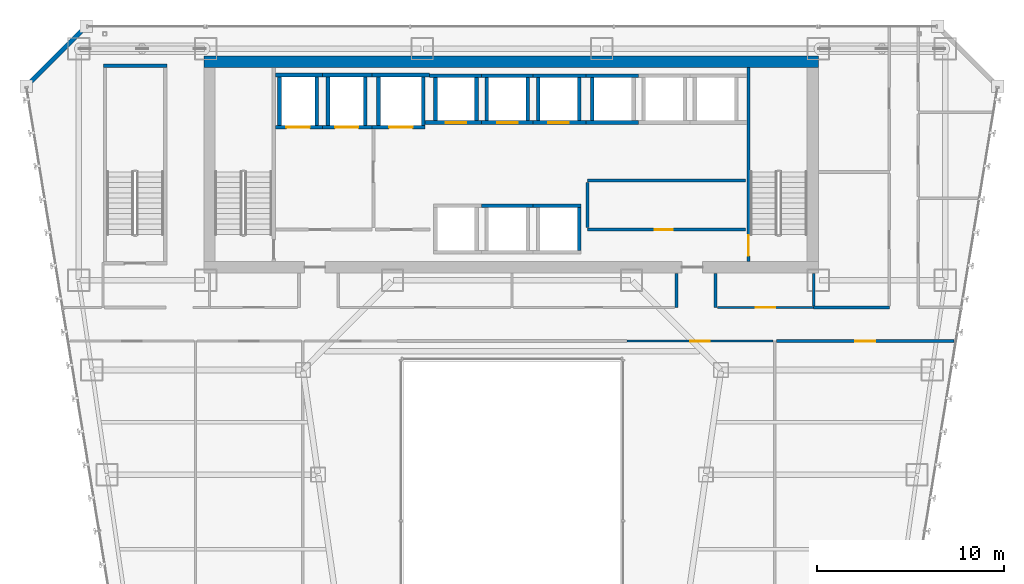
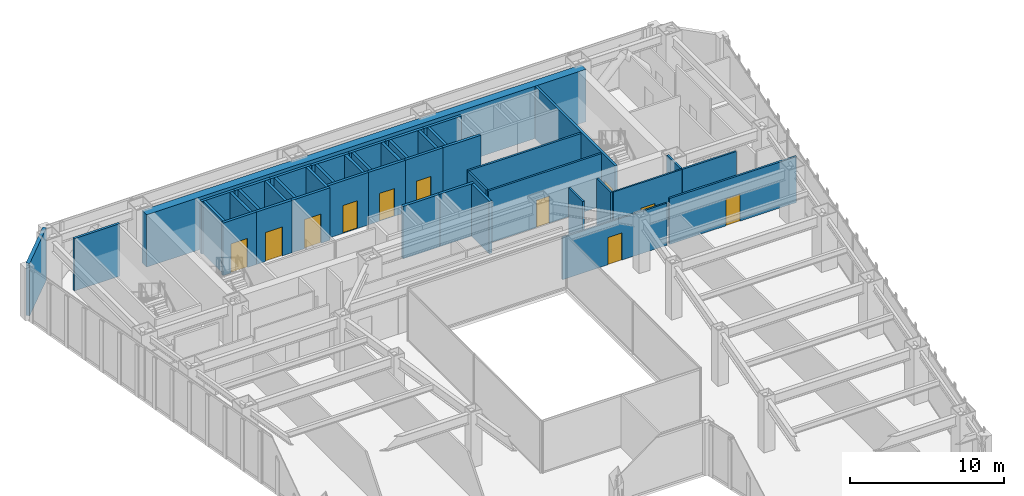
# One storey, part 37 of 47: 44 walls, 11 doors, 11 openings.
"""IFC4 building model written with IfcOpenShell, lengths in metres."""

from ifc_helpers import new_model, si_unit, direction, frame, frame_2d, origin, place, context, subcontext, project, spatial, rectangle, extrude, material, layer, layer_set, type_object, element, fill, save


model = new_model("IFC4")

# Units and contexts
model_context = context("Model", 3, precision=1e-05, world=origin(), true_north=direction((0.0, 1.0)))
body_context = subcontext(model_context, "Body", "Model", "MODEL_VIEW")
ifc_project = project(units=[si_unit("LENGTHUNIT", "METRE"), si_unit("AREAUNIT", "SQUARE_METRE"), si_unit("VOLUMEUNIT", "CUBIC_METRE"), si_unit("PLANEANGLEUNIT", "RADIAN"), si_unit("MASSUNIT", "GRAM", prefix="KILO")], contexts=[model_context])

# Site, building, storey
site_placement = place(None, origin())
site = spatial("IfcSite", under=ifc_project, at=site_placement, CompositionType="ELEMENT")
building_placement = place(site_placement, origin())
building = spatial("IfcBuilding", under=site, at=building_placement, Name="Saevonmaru Cultural Tower", CompositionType="ELEMENT")
storey_placement = place(building_placement, frame((0.0, 0.0, 47.199951171875)))
storey = spatial("IfcBuildingStorey", under=building, at=storey_placement, Name="L09", CompositionType="ELEMENT", Elevation=47.199951171875)

# Wall
ifc_material_1 = material(Name="Concrete C60/75", Category="concrete")
ifc_layer_1 = layer(ifc_material_1, 0.60009765625, Name="Concrete C60/75")
ifc_layer_set_1 = layer_set([ifc_layer_1], Name="Concrete C60/75")
wall_type_1 = type_object("IfcWallType", Name="WL-CORE-600", PredefinedType="SHEAR", material=ifc_layer_set_1)
wall_1_placement = place(storey_placement, frame((13.5, 54.10009765625, 0.0), z_axis=(0.0, 0.0, 1.0), x_axis=(1.0, 0.0, 0.0)))
element("IfcWall", 1, at=wall_1_placement, inside=storey, type_object=wall_type_1, Name="L09 Tower RC core shear wall N", PredefinedType="SHEAR", context=body_context, shape_type="SweptSolid", body=[
    extrude(rectangle(XDim=32.89990234375, YDim=0.60009765625, at=frame_2d((16.449951171875, 0.0))), origin(), (0.0, 0.0, 1.0), 4.150146484375),
])

# Wall, opening, door
ifc_material_2 = material(Name="Gypsum Fireboard Partition", Category="gypsum")
ifc_layer_2 = layer(ifc_material_2, 0.14990234375, Name="Gypsum Fireboard Partition")
ifc_layer_set_2 = layer_set([ifc_layer_2], Name="Gypsum Fireboard Partition")
wall_type_2 = type_object("IfcWallType", Name="WL-CORE-PART-150", PredefinedType="PARTITIONING", material=ifc_layer_set_2)
wall_2_placement = place(storey_placement, frame((34.050048828125, 45.1201171875, 0.0), z_axis=(0.0, 0.0, 1.0), x_axis=(1.0, 0.0, 0.0)))
wall_2 = element("IfcWall", 2, at=wall_2_placement, inside=storey, type_object=wall_type_2, Name="L09 Core Service South Wall", PredefinedType="PARTITIONING", context=body_context, shape_type="SweptSolid", body=[
    extrude(rectangle(XDim=8.449951171875, YDim=0.14990234375, at=frame_2d((4.22509765625, 0.0))), origin(), (0.0, 0.0, 1.0), 4.150146484375),
])
opening_1_placement = place(wall_2_placement, frame((3.60009765625, 0.0, 0.0)))
opening_1 = element("IfcOpeningElement", 3, at=opening_1_placement, cuts=wall_2, Name="Opening FD-4", PredefinedType="OPENING", context=body_context, shape_type="SweptSolid", body=[
    extrude(rectangle(XDim=0.949951171875, YDim=2.14990234375, at=frame_2d((0.47509765625, 1.074951171875))), frame((0.0, 0.0849609375, 0.0), z_axis=(0.0, -1.0, 0.0), x_axis=(1.0, 0.0, 0.0)), (0.0, 0.0, 1.0), 0.169921875),
])
ifc_material_3 = material(Name="Satin Bronze Anodised Aluminium", Category="aluminium")
door_type_1 = type_object("IfcDoorType", Name="DR-FD60-950", OperationType="SINGLE_SWING_LEFT", PredefinedType="DOOR", material=ifc_material_3)
door_1_placement = place(opening_1_placement, origin())
door_1 = element("IfcDoor", 4, at=door_1_placement, inside=storey, type_object=door_type_1, Name="L09 Telecom Riser Plant Door", OperationType="SINGLE_SWING_LEFT", OverallHeight=2.14990234375, OverallWidth=0.949951171875, PredefinedType="DOOR", context=body_context, shape_type="SweptSolid", body=[
    extrude(rectangle(XDim=0.949951171875, YDim=2.14990234375, at=frame_2d((0.47509765625, 1.074951171875))), frame((0.0, 0.02490234375, 0.0), z_axis=(0.0, -1.0, 0.0), x_axis=(1.0, 0.0, 0.0)), (0.0, 0.0, 1.0), 0.050048828125),
])
fill(opening_1, door_1)

# Walls
wall_3_placement = place(storey_placement, frame((34.050048828125, 47.75, 0.0), z_axis=(0.0, 0.0, 1.0), x_axis=(1.0, 0.0, 0.0)))
element("IfcWall", 5, at=wall_3_placement, inside=storey, type_object=wall_type_2, Name="L09 Core Service North Wall", PredefinedType="PARTITIONING", context=body_context, shape_type="SweptSolid", body=[
    extrude(rectangle(XDim=8.449951171875, YDim=0.14990234375, at=frame_2d((4.22509765625, 0.0))), origin(), (0.0, 0.0, 1.0), 4.150146484375),
])
wall_4_placement = place(storey_placement, frame((34.050048828125, 45.219970703125, 0.0), z_axis=(0.0, 0.0, 1.0), x_axis=(0.0, 1.0, 0.0)))
element("IfcWall", 6, at=wall_4_placement, inside=storey, type_object=wall_type_2, Name="L09 Core Service West Wall", PredefinedType="PARTITIONING", context=body_context, shape_type="SweptSolid", body=[
    extrude(rectangle(XDim=2.429931640625, YDim=0.14990234375, at=frame_2d((1.21484375, 0.0))), origin(), (0.0, 0.0, 1.0), 4.150146484375),
])
ifc_material_4 = material(Name="Granite-Clad Precast Concrete C40/50", Category="masonry")
ifc_layer_3 = layer(ifc_material_4, 0.260009765625, Name="Granite-Clad Precast Concrete C40/50")
ifc_layer_set_3 = layer_set([ifc_layer_3], Name="Granite-Clad Precast Concrete C40/50")
wall_type_3 = type_object("IfcWallType", Name="WL-EXT-SPANDREL-260", PredefinedType="STANDARD", material=ifc_layer_set_3)
wall_5_placement = place(storey_placement, frame((7.0869140625, 55.886962890625, 0.0), z_axis=(0.0, 0.0, 1.0), x_axis=(-0.707106781187, -0.707106781187, 0.0)))
element("IfcWall", 7, at=wall_5_placement, inside=storey, type_object=wall_type_3, Name="L09 Chamfer Corner Spandrel Wall E11", PredefinedType="STANDARD", context=body_context, shape_type="SweptSolid", body=[
    extrude(rectangle(XDim=4.205810546875, YDim=0.260009765625, at=frame_2d((2.10302734375, 0.0))), origin(), (0.0, 0.0, 1.0), 4.150146484375),
])
ifc_layer_4 = layer(ifc_material_2, 0.14990234375, Name="Gypsum Fireboard Partition")
ifc_layer_set_4 = layer_set([ifc_layer_4], Name="Gypsum Fireboard Partition")
wall_type_4 = type_object("IfcWallType", Name="WL-PART-FIRE-150", PredefinedType="PARTITIONING", material=ifc_layer_set_4)
for number, where, z_axis, x_axis, name in (
    (8, (38.800048828125, 40.949951171875, 0.0), (0.0, 0.0, 1.0), (0.0, 1.0, 0.0), "L09 Core Portal Side Wall E1"),
    (9, (40.89990234375, 40.949951171875, 0.0), (0.0, 0.0, 1.0), (0.0, 1.0, 0.0), "L09 Core Portal Side Wall E2"),
):
    element("IfcWall", number, at=place(storey_placement, frame(where, z_axis=z_axis, x_axis=x_axis)), inside=storey, type_object=wall_type_4, Name=name, PredefinedType="PARTITIONING", context=body_context, shape_type="SweptSolid", body=[
        extrude(rectangle(XDim=1.830078125, YDim=0.14990234375, at=frame_2d((0.9150390625, 0.0))), origin(), (0.0, 0.0, 1.0), 4.150146484375),
    ])

# Wall, opening, door
wall_6_placement = place(storey_placement, frame((44.157470703125, 39.14990234375, 0.0), z_axis=(0.0, 0.0, 1.0), x_axis=(1.0, 0.0, 0.0)))
wall_6 = element("IfcWall", 10, at=wall_6_placement, inside=storey, type_object=wall_type_4, Name="L09 Special Collections Gallery Corridor Wall", PredefinedType="PARTITIONING", context=body_context, shape_type="SweptSolid", body=[
    extrude(rectangle(XDim=9.508544921875, YDim=0.14990234375, at=frame_2d((4.75439453125, 0.0))), origin(), (0.0, 0.0, 1.0), 3.635009765625),
])
opening_2_placement = place(wall_6_placement, frame((4.22900390625, 0.0, 0.0)))
opening_2 = element("IfcOpeningElement", 11, at=opening_2_placement, cuts=wall_6, Name="Opening ID-1", PredefinedType="OPENING", context=body_context, shape_type="SweptSolid", body=[
    extrude(rectangle(XDim=1.050048828125, YDim=2.14990234375, at=frame_2d((0.52490234375, 1.074951171875))), frame((0.0, 0.0849609375, 0.0), z_axis=(0.0, -1.0, 0.0), x_axis=(1.0, 0.0, 0.0)), (0.0, 0.0, 1.0), 0.169921875),
])
door_type_2 = type_object("IfcDoorType", Name="DR-INT-1050", OperationType="SINGLE_SWING_LEFT", PredefinedType="DOOR", material=ifc_material_3)
door_2_placement = place(opening_2_placement, origin())
door_2 = element("IfcDoor", 12, at=door_2_placement, inside=storey, type_object=door_type_2, Name="L09 Special Collections Gallery Door", OperationType="SINGLE_SWING_LEFT", OverallHeight=2.14990234375, OverallWidth=1.050048828125, PredefinedType="DOOR", context=body_context, shape_type="SweptSolid", body=[
    extrude(rectangle(XDim=1.050048828125, YDim=2.14990234375, at=frame_2d((0.52490234375, 1.074951171875))), frame((0.0, 0.02490234375, 0.0), z_axis=(0.0, -1.0, 0.0), x_axis=(1.0, 0.0, 0.0)), (0.0, 0.0, 1.0), 0.050048828125),
])
fill(opening_2, door_2)

ifc_layer_5 = layer(ifc_material_2, 0.1201171875, Name="Gypsum Fireboard Partition")
ifc_layer_set_5 = layer_set([ifc_layer_5], Name="Gypsum Fireboard Partition")
wall_type_5 = type_object("IfcWallType", Name="WL-PART-GYP-120", PredefinedType="PARTITIONING", material=ifc_layer_set_5)
wall_7_placement = place(storey_placement, frame((40.9951171875, 40.949951171875, 0.0), z_axis=(0.0, 0.0, 1.0), x_axis=(1.0, 0.0, 0.0)))
wall_7 = element("IfcWall", 13, at=wall_7_placement, inside=storey, type_object=wall_type_5, Name="L09 Periodical Reading Room Corridor Wall", PredefinedType="PARTITIONING", context=body_context, shape_type="SweptSolid", body=[
    extrude(rectangle(XDim=5.15478515625, YDim=0.1201171875, at=frame_2d((2.577392578125, 0.0))), origin(), (0.0, 0.0, 1.0), 4.150146484375),
])
opening_3_placement = place(wall_7_placement, frame((2.052978515625, 0.0, 0.0)))
opening_3 = element("IfcOpeningElement", 14, at=opening_3_placement, cuts=wall_7, Name="Opening ID-1", PredefinedType="OPENING", context=body_context, shape_type="SweptSolid", body=[
    extrude(rectangle(XDim=1.050048828125, YDim=2.14990234375, at=frame_2d((0.52490234375, 1.074951171875))), frame((0.0, 0.070068359375, 0.0), z_axis=(0.0, -1.0, 0.0), x_axis=(1.0, 0.0, 0.0)), (0.0, 0.0, 1.0), 0.14013671875),
])
door_3_placement = place(opening_3_placement, origin())
door_3 = element("IfcDoor", 15, at=door_3_placement, inside=storey, type_object=door_type_2, Name="L09 Periodical Reading Room Door", OperationType="SINGLE_SWING_RIGHT", OverallHeight=2.14990234375, OverallWidth=1.050048828125, PredefinedType="DOOR", context=body_context, shape_type="SweptSolid", body=[
    extrude(rectangle(XDim=1.050048828125, YDim=2.14990234375, at=frame_2d((0.52490234375, 1.074951171875))), frame((0.0, 0.02490234375, 0.0), z_axis=(0.0, -1.0, 0.0), x_axis=(1.0, 0.0, 0.0)), (0.0, 0.0, 1.0), 0.050048828125),
])
fill(opening_3, door_3)

wall_8_placement = place(storey_placement, frame((36.14990234375, 39.14990234375, 0.0), z_axis=(0.0, 0.0, 1.0), x_axis=(1.0, 0.0, 0.0)))
wall_8 = element("IfcWall", 16, at=wall_8_placement, inside=storey, type_object=wall_type_5, Name="L09 Periodical Reading Room Corridor Wall", PredefinedType="PARTITIONING", context=body_context, shape_type="SweptSolid", body=[
    extrude(rectangle(XDim=7.83251953125, YDim=0.1201171875, at=frame_2d((3.916259765625, 0.0))), origin(), (0.0, 0.0, 1.0), 3.3349609375),
])
opening_4_placement = place(wall_8_placement, frame((3.39111328125, 0.0, 0.0)))
opening_4 = element("IfcOpeningElement", 17, at=opening_4_placement, cuts=wall_8, Name="Opening ID-1", PredefinedType="OPENING", context=body_context, shape_type="SweptSolid", body=[
    extrude(rectangle(XDim=1.050048828125, YDim=2.14990234375, at=frame_2d((0.52490234375, 1.074951171875))), frame((0.0, 0.070068359375, 0.0), z_axis=(0.0, -1.0, 0.0), x_axis=(1.0, 0.0, 0.0)), (0.0, 0.0, 1.0), 0.14013671875),
])
door_4_placement = place(opening_4_placement, origin())
door_4 = element("IfcDoor", 18, at=door_4_placement, inside=storey, type_object=door_type_2, Name="L09 Periodical Reading Room Door", OperationType="SINGLE_SWING_RIGHT", OverallHeight=2.14990234375, OverallWidth=1.050048828125, PredefinedType="DOOR", context=body_context, shape_type="SweptSolid", body=[
    extrude(rectangle(XDim=1.050048828125, YDim=2.14990234375, at=frame_2d((0.52490234375, 1.074951171875))), frame((0.0, 0.02490234375, 0.0), z_axis=(0.0, -1.0, 0.0), x_axis=(1.0, 0.0, 0.0)), (0.0, 0.0, 1.0), 0.050048828125),
])
fill(opening_4, door_4)

# Walls
ifc_layer_6 = layer(ifc_material_2, 0.139892578125, Name="Gypsum Fireboard Partition")
ifc_layer_set_6 = layer_set([ifc_layer_6], Name="Gypsum Fireboard Partition")
wall_type_6 = type_object("IfcWallType", Name="WL-PART-WET-140", PredefinedType="PARTITIONING", material=ifc_layer_set_6)
wall_9_placement = place(storey_placement, frame((46.14990234375, 40.949951171875, 0.0), z_axis=(0.0, 0.0, 1.0), x_axis=(1.0, 0.0, 0.0)))
element("IfcWall", 19, at=wall_9_placement, inside=storey, type_object=wall_type_6, Name="L09 Washroom South Wall", PredefinedType="PARTITIONING", context=body_context, shape_type="SweptSolid", body=[
    extrude(rectangle(XDim=4.050048828125, YDim=0.139892578125, at=frame_2d((2.02490234375, 0.0))), origin(), (0.0, 0.0, 1.0), 4.150146484375),
])
wall_10_placement = place(storey_placement, frame((46.14990234375, 41.0400390625, 0.0), z_axis=(0.0, 0.0, 1.0), x_axis=(0.0, 1.0, 0.0)))
element("IfcWall", 20, at=wall_10_placement, inside=storey, type_object=wall_type_6, Name="L09 Washroom South-West Return", PredefinedType="PARTITIONING", context=body_context, shape_type="SweptSolid", body=[
    extrude(rectangle(XDim=1.739990234375, YDim=0.139892578125, at=frame_2d((0.8701171875, 0.0))), origin(), (0.0, 0.0, 1.0), 4.150146484375),
])

# Wall, opening, door
ifc_material_5 = material(Name="Concrete C40/50", Category="concrete")
ifc_layer_7 = layer(ifc_material_5, 0.199951171875, Name="Concrete C40/50")
ifc_layer_set_7 = layer_set([ifc_layer_7], Name="Concrete C40/50")
wall_type_7 = type_object("IfcWallType", Name="WL-SHAFT-200", PredefinedType="SHEAR", material=ifc_layer_set_7)
wall_11_placement = place(storey_placement, frame((17.330078125, 50.60009765625, 0.0), z_axis=(0.0, 0.0, 1.0), x_axis=(1.0, 0.0, 0.0)))
wall_11 = element("IfcWall", 21, at=wall_11_placement, inside=storey, type_object=wall_type_7, Name="L09 Lift FFL-1 Hoistway Wall S", PredefinedType="SHEAR", context=body_context, shape_type="SweptSolid", body=[
    extrude(rectangle(XDim=2.52001953125, YDim=0.199951171875, at=frame_2d((1.260009765625, 0.0))), origin(), (0.0, 0.0, 1.0), 4.150146484375),
])
opening_5_placement = place(wall_11_placement, frame((0.594970703125, 0.0, 0.0)))
opening_5 = element("IfcOpeningElement", 22, at=opening_5_placement, cuts=wall_11, Name="Opening LD-2", PredefinedType="OPENING", context=body_context, shape_type="SweptSolid", body=[
    extrude(rectangle(XDim=1.25, YDim=2.300048828125, at=frame_2d((0.625, 1.14990234375))), frame((0.0, 0.10986328125, 0.0), z_axis=(0.0, -1.0, 0.0), x_axis=(1.0, 0.0, 0.0)), (0.0, 0.0, 1.0), 0.219970703125),
])
ifc_material_6 = material(Name="Stainless Steel 316", Category="steel")
door_type_3 = type_object("IfcDoorType", Name="DR-LIFT-1250", OperationType="SLIDING_TO_LEFT", PredefinedType="DOOR", material=ifc_material_6)
door_5_placement = place(opening_5_placement, origin())
door_5 = element("IfcDoor", 23, at=door_5_placement, inside=storey, type_object=door_type_3, Name="L09 Lift FFL-1 Sliding Landing Door", OperationType="SLIDING_TO_LEFT", OverallHeight=2.300048828125, OverallWidth=1.25, PredefinedType="DOOR", context=body_context, shape_type="SweptSolid", body=[
    extrude(rectangle(XDim=1.25, YDim=2.300048828125, at=frame_2d((0.625, 1.14990234375))), frame((0.0, 0.02490234375, 0.0), z_axis=(0.0, -1.0, 0.0), x_axis=(1.0, 0.0, 0.0)), (0.0, 0.0, 1.0), 0.050048828125),
])
fill(opening_5, door_5)

# Walls
wall_12_placement = place(storey_placement, frame((17.330078125, 53.39990234375, 0.0), z_axis=(0.0, 0.0, 1.0), x_axis=(1.0, 0.0, 0.0)))
element("IfcWall", 24, at=wall_12_placement, inside=storey, type_object=wall_type_7, Name="L09 Lift FFL-1 Hoistway Wall N", PredefinedType="SHEAR", context=body_context, shape_type="SweptSolid", body=[
    extrude(rectangle(XDim=2.52001953125, YDim=0.199951171875, at=frame_2d((1.260009765625, 0.0))), origin(), (0.0, 0.0, 1.0), 4.150146484375),
])
for number, where, z_axis, x_axis, name in (
    (25, (17.550048828125, 50.699951171875, 0.0), (0.0, 0.0, 1.0), (0.0, 1.0, 0.0), "L09 Lift FFL-1 Hoistway Wall W"),
    (26, (19.550048828125, 50.699951171875, 0.0), (0.0, 0.0, 1.0), (0.0, 1.0, 0.0), "L09 Lift FFL-1 Hoistway Wall E"),
):
    element("IfcWall", number, at=place(storey_placement, frame(where, z_axis=z_axis, x_axis=x_axis)), inside=storey, type_object=wall_type_7, Name=name, PredefinedType="SHEAR", context=body_context, shape_type="SweptSolid", body=[
        extrude(rectangle(XDim=2.60009765625, YDim=0.199951171875, at=frame_2d((1.300048828125, 0.0))), origin(), (0.0, 0.0, 1.0), 4.150146484375),
    ])

# Wall, opening, door
wall_13_placement = place(storey_placement, frame((19.85009765625, 50.60009765625, 0.0), z_axis=(0.0, 0.0, 1.0), x_axis=(1.0, 0.0, 0.0)))
wall_13 = element("IfcWall", 27, at=wall_13_placement, inside=storey, type_object=wall_type_7, Name="L09 Lift FFL-2 Hoistway Wall S", PredefinedType="SHEAR", context=body_context, shape_type="SweptSolid", body=[
    extrude(rectangle(XDim=2.64990234375, YDim=0.199951171875, at=frame_2d((1.324951171875, 0.0))), origin(), (0.0, 0.0, 1.0), 4.150146484375),
])
opening_6_placement = place(wall_13_placement, frame((0.675048828125, 0.0, 0.0)))
opening_6 = element("IfcOpeningElement", 28, at=opening_6_placement, cuts=wall_13, Name="Opening LD-2", PredefinedType="OPENING", context=body_context, shape_type="SweptSolid", body=[
    extrude(rectangle(XDim=1.25, YDim=2.300048828125, at=frame_2d((0.625, 1.14990234375))), frame((0.0, 0.10986328125, 0.0), z_axis=(0.0, -1.0, 0.0), x_axis=(1.0, 0.0, 0.0)), (0.0, 0.0, 1.0), 0.219970703125),
])
door_6_placement = place(opening_6_placement, origin())
door_6 = element("IfcDoor", 29, at=door_6_placement, inside=storey, type_object=door_type_3, Name="L09 Lift FFL-2 Sliding Landing Door", OperationType="SLIDING_TO_LEFT", OverallHeight=2.300048828125, OverallWidth=1.25, PredefinedType="DOOR", context=body_context, shape_type="SweptSolid", body=[
    extrude(rectangle(XDim=1.25, YDim=2.300048828125, at=frame_2d((0.625, 1.14990234375))), frame((0.0, 0.02490234375, 0.0), z_axis=(0.0, -1.0, 0.0), x_axis=(1.0, 0.0, 0.0)), (0.0, 0.0, 1.0), 0.050048828125),
])
fill(opening_6, door_6)

# Walls
wall_14_placement = place(storey_placement, frame((19.85009765625, 53.39990234375, 0.0), z_axis=(0.0, 0.0, 1.0), x_axis=(1.0, 0.0, 0.0)))
element("IfcWall", 30, at=wall_14_placement, inside=storey, type_object=wall_type_7, Name="L09 Lift FFL-2 Hoistway Wall N", PredefinedType="SHEAR", context=body_context, shape_type="SweptSolid", body=[
    extrude(rectangle(XDim=2.64990234375, YDim=0.199951171875, at=frame_2d((1.324951171875, 0.0))), origin(), (0.0, 0.0, 1.0), 4.150146484375),
])
for number, where, z_axis, x_axis, name in (
    (31, (20.14990234375, 50.699951171875, 0.0), (0.0, 0.0, 1.0), (0.0, 1.0, 0.0), "L09 Lift FFL-2 Hoistway Wall W"),
    (32, (22.14990234375, 50.699951171875, 0.0), (0.0, 0.0, 1.0), (0.0, 1.0, 0.0), "L09 Lift FFL-2 Hoistway Wall E"),
):
    element("IfcWall", number, at=place(storey_placement, frame(where, z_axis=z_axis, x_axis=x_axis)), inside=storey, type_object=wall_type_7, Name=name, PredefinedType="SHEAR", context=body_context, shape_type="SweptSolid", body=[
        extrude(rectangle(XDim=2.60009765625, YDim=0.199951171875, at=frame_2d((1.300048828125, 0.0))), origin(), (0.0, 0.0, 1.0), 4.150146484375),
    ])

# Wall, opening, door
wall_15_placement = place(storey_placement, frame((22.5, 50.60009765625, 0.0), z_axis=(0.0, 0.0, 1.0), x_axis=(1.0, 0.0, 0.0)))
wall_15 = element("IfcWall", 33, at=wall_15_placement, inside=storey, type_object=wall_type_7, Name="L09 Lift GL-1 Hoistway Wall S", PredefinedType="SHEAR", context=body_context, shape_type="SweptSolid", body=[
    extrude(rectangle(XDim=2.85009765625, YDim=0.199951171875, at=frame_2d((1.425048828125, 0.0))), origin(), (0.0, 0.0, 1.0), 4.150146484375),
])
opening_7_placement = place(wall_15_placement, frame((0.925048828125, 0.0, 0.0)))
opening_7 = element("IfcOpeningElement", 34, at=opening_7_placement, cuts=wall_15, Name="Opening LD-2", PredefinedType="OPENING", context=body_context, shape_type="SweptSolid", body=[
    extrude(rectangle(XDim=1.25, YDim=2.300048828125, at=frame_2d((0.625, 1.14990234375))), frame((0.0, 0.10986328125, 0.0), z_axis=(0.0, -1.0, 0.0), x_axis=(1.0, 0.0, 0.0)), (0.0, 0.0, 1.0), 0.219970703125),
])
door_7_placement = place(opening_7_placement, origin())
door_7 = element("IfcDoor", 35, at=door_7_placement, inside=storey, type_object=door_type_3, Name="L09 Lift GL-1 Sliding Landing Door", OperationType="SLIDING_TO_LEFT", OverallHeight=2.300048828125, OverallWidth=1.25, PredefinedType="DOOR", context=body_context, shape_type="SweptSolid", body=[
    extrude(rectangle(XDim=1.25, YDim=2.300048828125, at=frame_2d((0.625, 1.14990234375))), frame((0.0, 0.02490234375, 0.0), z_axis=(0.0, -1.0, 0.0), x_axis=(1.0, 0.0, 0.0)), (0.0, 0.0, 1.0), 0.050048828125),
])
fill(opening_7, door_7)

# Walls
wall_16_placement = place(storey_placement, frame((22.5, 53.39990234375, 0.0), z_axis=(0.0, 0.0, 1.0), x_axis=(1.0, 0.0, 0.0)))
element("IfcWall", 36, at=wall_16_placement, inside=storey, type_object=wall_type_7, Name="L09 Lift GL-1 Hoistway Wall N", PredefinedType="SHEAR", context=body_context, shape_type="SweptSolid", body=[
    extrude(rectangle(XDim=3.074951171875, YDim=0.199951171875, at=frame_2d((1.53759765625, 0.0))), origin(), (0.0, 0.0, 1.0), 4.150146484375),
])
for number, where, z_axis, x_axis, name in (
    (37, (22.85009765625, 50.699951171875, 0.0), (0.0, 0.0, 1.0), (0.0, 1.0, 0.0), "L09 Lift GL-1 Hoistway Wall W"),
    (38, (25.25, 50.699951171875, 0.0), (0.0, 0.0, 1.0), (0.0, 1.0, 0.0), "L09 Lift GL-1 Hoistway Wall E"),
):
    element("IfcWall", number, at=place(storey_placement, frame(where, z_axis=z_axis, x_axis=x_axis)), inside=storey, type_object=wall_type_7, Name=name, PredefinedType="SHEAR", context=body_context, shape_type="SweptSolid", body=[
        extrude(rectangle(XDim=2.60009765625, YDim=0.199951171875, at=frame_2d((1.300048828125, 0.0))), origin(), (0.0, 0.0, 1.0), 4.150146484375),
    ])

# Wall, opening, door
wall_17_placement = place(storey_placement, frame((25.35009765625, 50.85009765625, 0.0), z_axis=(0.0, 0.0, 1.0), x_axis=(1.0, 0.0, 0.0)))
wall_17 = element("IfcWall", 39, at=wall_17_placement, inside=storey, type_object=wall_type_7, Name="L09 Lift PL-L1 Hoistway Wall S", PredefinedType="SHEAR", context=body_context, shape_type="SweptSolid", body=[
    extrude(rectangle(XDim=3.02490234375, YDim=0.199951171875, at=frame_2d((1.512451171875, 0.0))), origin(), (0.0, 0.0, 1.0), 4.150146484375),
])
opening_8_placement = place(wall_17_placement, frame((1.10009765625, 0.0, 0.0)))
opening_8 = element("IfcOpeningElement", 40, at=opening_8_placement, cuts=wall_17, Name="Opening LD-1", PredefinedType="OPENING", context=body_context, shape_type="SweptSolid", body=[
    extrude(rectangle(XDim=1.10009765625, YDim=2.199951171875, at=frame_2d((0.550048828125, 1.10009765625))), frame((0.0, 0.10986328125, 0.0), z_axis=(0.0, -1.0, 0.0), x_axis=(1.0, 0.0, 0.0)), (0.0, 0.0, 1.0), 0.219970703125),
])
ifc_material_7 = material(Name="Satin Bronze Stainless Steel", Category="steel")
door_type_4 = type_object("IfcDoorType", Name="DR-LIFT-1100", OperationType="SLIDING_TO_LEFT", PredefinedType="DOOR", material=ifc_material_7)
door_8_placement = place(opening_8_placement, origin())
door_8 = element("IfcDoor", 41, at=door_8_placement, inside=storey, type_object=door_type_4, Name="L09 Lift PL-L1 Sliding Landing Door", OperationType="SLIDING_TO_LEFT", OverallHeight=2.199951171875, OverallWidth=1.10009765625, PredefinedType="DOOR", context=body_context, shape_type="SweptSolid", body=[
    extrude(rectangle(XDim=1.10009765625, YDim=2.199951171875, at=frame_2d((0.550048828125, 1.10009765625))), frame((0.0, 0.02490234375, 0.0), z_axis=(0.0, -1.0, 0.0), x_axis=(1.0, 0.0, 0.0)), (0.0, 0.0, 1.0), 0.050048828125),
])
fill(opening_8, door_8)

# Walls
wall_18_placement = place(storey_placement, frame((25.574951171875, 53.35009765625, 0.0), z_axis=(0.0, 0.0, 1.0), x_axis=(1.0, 0.0, 0.0)))
element("IfcWall", 42, at=wall_18_placement, inside=storey, type_object=wall_type_7, Name="L09 Lift PL-L1 Hoistway Wall N", PredefinedType="SHEAR", context=body_context, shape_type="SweptSolid", body=[
    extrude(rectangle(XDim=2.800048828125, YDim=0.199951171875, at=frame_2d((1.39990234375, 0.0))), origin(), (0.0, 0.0, 1.0), 4.150146484375),
])
for number, where, z_axis, x_axis, name in (
    (43, (25.89990234375, 50.949951171875, 0.0), (0.0, 0.0, 1.0), (0.0, 1.0, 0.0), "L09 Lift PL-L1 Hoistway Wall W"),
    (44, (28.10009765625, 50.949951171875, 0.0), (0.0, 0.0, 1.0), (0.0, 1.0, 0.0), "L09 Lift PL-L1 Hoistway Wall E"),
):
    element("IfcWall", number, at=place(storey_placement, frame(where, z_axis=z_axis, x_axis=x_axis)), inside=storey, type_object=wall_type_7, Name=name, PredefinedType="SHEAR", context=body_context, shape_type="SweptSolid", body=[
        extrude(rectangle(XDim=2.300048828125, YDim=0.199951171875, at=frame_2d((1.14990234375, 0.0))), origin(), (0.0, 0.0, 1.0), 4.150146484375),
    ])

# Wall, opening, door
wall_19_placement = place(storey_placement, frame((28.375, 50.85009765625, 0.0), z_axis=(0.0, 0.0, 1.0), x_axis=(1.0, 0.0, 0.0)))
wall_19 = element("IfcWall", 45, at=wall_19_placement, inside=storey, type_object=wall_type_7, Name="L09 Lift PL-L2 Hoistway Wall S", PredefinedType="SHEAR", context=body_context, shape_type="SweptSolid", body=[
    extrude(rectangle(XDim=2.75, YDim=0.199951171875, at=frame_2d((1.375, 0.0))), origin(), (0.0, 0.0, 1.0), 4.150146484375),
])
opening_9_placement = place(wall_19_placement, frame((0.824951171875, 0.0, 0.0)))
opening_9 = element("IfcOpeningElement", 46, at=opening_9_placement, cuts=wall_19, Name="Opening LD-1", PredefinedType="OPENING", context=body_context, shape_type="SweptSolid", body=[
    extrude(rectangle(XDim=1.10009765625, YDim=2.199951171875, at=frame_2d((0.550048828125, 1.10009765625))), frame((0.0, 0.10986328125, 0.0), z_axis=(0.0, -1.0, 0.0), x_axis=(1.0, 0.0, 0.0)), (0.0, 0.0, 1.0), 0.219970703125),
])
door_9_placement = place(opening_9_placement, origin())
door_9 = element("IfcDoor", 47, at=door_9_placement, inside=storey, type_object=door_type_4, Name="L09 Lift PL-L2 Sliding Landing Door", OperationType="SLIDING_TO_LEFT", OverallHeight=2.199951171875, OverallWidth=1.10009765625, PredefinedType="DOOR", context=body_context, shape_type="SweptSolid", body=[
    extrude(rectangle(XDim=1.10009765625, YDim=2.199951171875, at=frame_2d((0.550048828125, 1.10009765625))), frame((0.0, 0.02490234375, 0.0), z_axis=(0.0, -1.0, 0.0), x_axis=(1.0, 0.0, 0.0)), (0.0, 0.0, 1.0), 0.050048828125),
])
fill(opening_9, door_9)

# Walls
wall_20_placement = place(storey_placement, frame((28.375, 53.35009765625, 0.0), z_axis=(0.0, 0.0, 1.0), x_axis=(1.0, 0.0, 0.0)))
element("IfcWall", 48, at=wall_20_placement, inside=storey, type_object=wall_type_7, Name="L09 Lift PL-L2 Hoistway Wall N", PredefinedType="SHEAR", context=body_context, shape_type="SweptSolid", body=[
    extrude(rectangle(XDim=2.75, YDim=0.199951171875, at=frame_2d((1.375, 0.0))), origin(), (0.0, 0.0, 1.0), 4.150146484375),
])
for number, where, z_axis, x_axis, name in (
    (49, (28.64990234375, 50.949951171875, 0.0), (0.0, 0.0, 1.0), (0.0, 1.0, 0.0), "L09 Lift PL-L2 Hoistway Wall W"),
    (50, (30.85009765625, 50.949951171875, 0.0), (0.0, 0.0, 1.0), (0.0, 1.0, 0.0), "L09 Lift PL-L2 Hoistway Wall E"),
):
    element("IfcWall", number, at=place(storey_placement, frame(where, z_axis=z_axis, x_axis=x_axis)), inside=storey, type_object=wall_type_7, Name=name, PredefinedType="SHEAR", context=body_context, shape_type="SweptSolid", body=[
        extrude(rectangle(XDim=2.300048828125, YDim=0.199951171875, at=frame_2d((1.14990234375, 0.0))), origin(), (0.0, 0.0, 1.0), 4.150146484375),
    ])

# Wall, opening, door
wall_21_placement = place(storey_placement, frame((31.125, 50.85009765625, 0.0), z_axis=(0.0, 0.0, 1.0), x_axis=(1.0, 0.0, 0.0)))
wall_21 = element("IfcWall", 51, at=wall_21_placement, inside=storey, type_object=wall_type_7, Name="L09 Lift PL-L3 Hoistway Wall S", PredefinedType="SHEAR", context=body_context, shape_type="SweptSolid", body=[
    extrude(rectangle(XDim=2.824951171875, YDim=0.199951171875, at=frame_2d((1.41259765625, 0.0))), origin(), (0.0, 0.0, 1.0), 4.150146484375),
])
opening_10_placement = place(wall_21_placement, frame((0.824951171875, 0.0, 0.0)))
opening_10 = element("IfcOpeningElement", 52, at=opening_10_placement, cuts=wall_21, Name="Opening LD-1", PredefinedType="OPENING", context=body_context, shape_type="SweptSolid", body=[
    extrude(rectangle(XDim=1.10009765625, YDim=2.199951171875, at=frame_2d((0.550048828125, 1.10009765625))), frame((0.0, 0.10986328125, 0.0), z_axis=(0.0, -1.0, 0.0), x_axis=(1.0, 0.0, 0.0)), (0.0, 0.0, 1.0), 0.219970703125),
])
door_10_placement = place(opening_10_placement, origin())
door_10 = element("IfcDoor", 53, at=door_10_placement, inside=storey, type_object=door_type_4, Name="L09 Lift PL-L3 Sliding Landing Door", OperationType="SLIDING_TO_LEFT", OverallHeight=2.199951171875, OverallWidth=1.10009765625, PredefinedType="DOOR", context=body_context, shape_type="SweptSolid", body=[
    extrude(rectangle(XDim=1.10009765625, YDim=2.199951171875, at=frame_2d((0.550048828125, 1.10009765625))), frame((0.0, 0.02490234375, 0.0), z_axis=(0.0, -1.0, 0.0), x_axis=(1.0, 0.0, 0.0)), (0.0, 0.0, 1.0), 0.050048828125),
])
fill(opening_10, door_10)

# Walls
wall_22_placement = place(storey_placement, frame((31.125, 53.35009765625, 0.0), z_axis=(0.0, 0.0, 1.0), x_axis=(1.0, 0.0, 0.0)))
element("IfcWall", 54, at=wall_22_placement, inside=storey, type_object=wall_type_7, Name="L09 Lift PL-L3 Hoistway Wall N", PredefinedType="SHEAR", context=body_context, shape_type="SweptSolid", body=[
    extrude(rectangle(XDim=2.824951171875, YDim=0.199951171875, at=frame_2d((1.41259765625, 0.0))), origin(), (0.0, 0.0, 1.0), 4.150146484375),
])
for number, where, z_axis, x_axis, name in (
    (55, (31.39990234375, 50.949951171875, 0.0), (0.0, 0.0, 1.0), (0.0, 1.0, 0.0), "L09 Lift PL-L3 Hoistway Wall W"),
    (56, (33.60009765625, 50.949951171875, 0.0), (0.0, 0.0, 1.0), (0.0, 1.0, 0.0), "L09 Lift PL-L3 Hoistway Wall E"),
):
    element("IfcWall", number, at=place(storey_placement, frame(where, z_axis=z_axis, x_axis=x_axis)), inside=storey, type_object=wall_type_7, Name=name, PredefinedType="SHEAR", context=body_context, shape_type="SweptSolid", body=[
        extrude(rectangle(XDim=2.300048828125, YDim=0.199951171875, at=frame_2d((1.14990234375, 0.0))), origin(), (0.0, 0.0, 1.0), 4.150146484375),
    ])
wall_23_placement = place(storey_placement, frame((28.375, 46.39990234375, 0.0), z_axis=(0.0, 0.0, 1.0), x_axis=(1.0, 0.0, 0.0)))
element("IfcWall", 57, at=wall_23_placement, inside=storey, type_object=wall_type_7, Name="L09 Lift PL-M2 Hoistway Wall N", PredefinedType="SHEAR", context=body_context, shape_type="SweptSolid", body=[
    extrude(rectangle(XDim=2.75, YDim=0.199951171875, at=frame_2d((1.375, 0.0))), origin(), (0.0, 0.0, 1.0), 4.150146484375),
])
wall_24_placement = place(storey_placement, frame((31.125, 46.39990234375, 0.0), z_axis=(0.0, 0.0, 1.0), x_axis=(1.0, 0.0, 0.0)))
element("IfcWall", 58, at=wall_24_placement, inside=storey, type_object=wall_type_7, Name="L09 Lift PL-M3 Hoistway Wall N", PredefinedType="SHEAR", context=body_context, shape_type="SweptSolid", body=[
    extrude(rectangle(XDim=2.574951171875, YDim=0.199951171875, at=frame_2d((1.28759765625, 0.0))), origin(), (0.0, 0.0, 1.0), 4.150146484375),
])
wall_25_placement = place(storey_placement, frame((33.60009765625, 44.0, 0.0), z_axis=(0.0, 0.0, 1.0), x_axis=(0.0, 1.0, 0.0)))
element("IfcWall", 59, at=wall_25_placement, inside=storey, type_object=wall_type_7, Name="L09 Lift PL-M3 Hoistway Wall E", PredefinedType="SHEAR", context=body_context, shape_type="SweptSolid", body=[
    extrude(rectangle(XDim=2.300048828125, YDim=0.199951171875, at=frame_2d((1.14990234375, 0.0))), origin(), (0.0, 0.0, 1.0), 4.150146484375),
])
for number, where, z_axis, x_axis, name in (
    (60, (33.949951171875, 50.85009765625, 0.0), (0.0, 0.0, 1.0), (1.0, 0.0, 0.0), "L09 Lift PL-H1 Hoistway Wall S"),
    (61, (33.949951171875, 53.35009765625, 0.0), (0.0, 0.0, 1.0), (1.0, 0.0, 0.0), "L09 Lift PL-H1 Hoistway Wall N"),
):
    element("IfcWall", number, at=place(storey_placement, frame(where, z_axis=z_axis, x_axis=x_axis)), inside=storey, type_object=wall_type_7, Name=name, PredefinedType="SHEAR", context=body_context, shape_type="SweptSolid", body=[
        extrude(rectangle(XDim=2.824951171875, YDim=0.199951171875, at=frame_2d((1.41259765625, 0.0))), origin(), (0.0, 0.0, 1.0), 4.150146484375),
    ])
wall_26_placement = place(storey_placement, frame((34.300048828125, 50.949951171875, 0.0), z_axis=(0.0, 0.0, 1.0), x_axis=(0.0, 1.0, 0.0)))
element("IfcWall", 62, at=wall_26_placement, inside=storey, type_object=wall_type_7, Name="L09 Lift PL-H1 Hoistway Wall W", PredefinedType="SHEAR", context=body_context, shape_type="SweptSolid", body=[
    extrude(rectangle(XDim=2.300048828125, YDim=0.199951171875, at=frame_2d((1.14990234375, 0.0))), origin(), (0.0, 0.0, 1.0), 4.150146484375),
])

# Wall, opening, door
ifc_layer_8 = layer(ifc_material_5, 0.179931640625, Name="Concrete C40/50")
ifc_layer_set_8 = layer_set([ifc_layer_8], Name="Concrete C40/50")
wall_type_8 = type_object("IfcWallType", Name="WL-STSHAFT-180", PredefinedType="SHEAR", material=ifc_layer_set_8)
wall_27_placement = place(storey_placement, frame((42.659912109375, 53.800048828125, 0.0), z_axis=(0.0, 0.0, 1.0), x_axis=(0.0, -1.0, 0.0)))
wall_27 = element("IfcWall", 63, at=wall_27_placement, inside=storey, type_object=wall_type_8, Name="L09 Stair ST-2 Structural Shaft Wall 1", PredefinedType="SHEAR", context=body_context, shape_type="SweptSolid", body=[
    extrude(rectangle(XDim=10.400146484375, YDim=0.179931640625, at=frame_2d((5.2001953125, 0.0))), origin(), (0.0, 0.0, 1.0), 4.150146484375),
])
opening_11_placement = place(wall_27_placement, frame((8.989990234375, 0.0, 0.0)))
opening_11 = element("IfcOpeningElement", 64, at=opening_11_placement, cuts=wall_27, Name="Opening FD-2", PredefinedType="OPENING", context=body_context, shape_type="SweptSolid", body=[
    extrude(rectangle(XDim=1.10009765625, YDim=2.14990234375, at=frame_2d((0.550048828125, 1.074951171875))), frame((0.0, 0.10009765625, 0.0), z_axis=(0.0, -1.0, 0.0), x_axis=(1.0, 0.0, 0.0)), (0.0, 0.0, 1.0), 0.199951171875),
])
door_type_5 = type_object("IfcDoorType", Name="DR-FD60-1100", OperationType="SINGLE_SWING_LEFT", PredefinedType="DOOR", material=ifc_material_3)
door_11_placement = place(opening_11_placement, origin())
door_11 = element("IfcDoor", 65, at=door_11_placement, inside=storey, type_object=door_type_5, Name="L09 Protected Stair ST-2 Fire Door", OperationType="SINGLE_SWING_LEFT", OverallHeight=2.14990234375, OverallWidth=1.10009765625, PredefinedType="DOOR", context=body_context, shape_type="SweptSolid", body=[
    extrude(rectangle(XDim=1.10009765625, YDim=2.14990234375, at=frame_2d((0.550048828125, 1.074951171875))), frame((0.0, 0.02490234375, 0.0), z_axis=(0.0, -1.0, 0.0), x_axis=(1.0, 0.0, 0.0)), (0.0, 0.0, 1.0), 0.050048828125),
])
fill(opening_11, door_11)

# Wall
wall_28_placement = place(storey_placement, frame((11.530029296875, 53.889892578125, 0.0), z_axis=(0.0, 0.0, 1.0), x_axis=(-1.0, 0.0, 0.0)))
element("IfcWall", 66, at=wall_28_placement, inside=storey, type_object=wall_type_8, Name="L09 Stair ST-3 Structural Shaft Wall 3", PredefinedType="SHEAR", context=body_context, shape_type="SweptSolid", body=[
    extrude(rectangle(XDim=3.409912109375, YDim=0.179931640625, at=frame_2d((1.705078125, 0.0))), origin(), (0.0, 0.0, 1.0), 4.150146484375),
])

save(model, "model.ifc")
